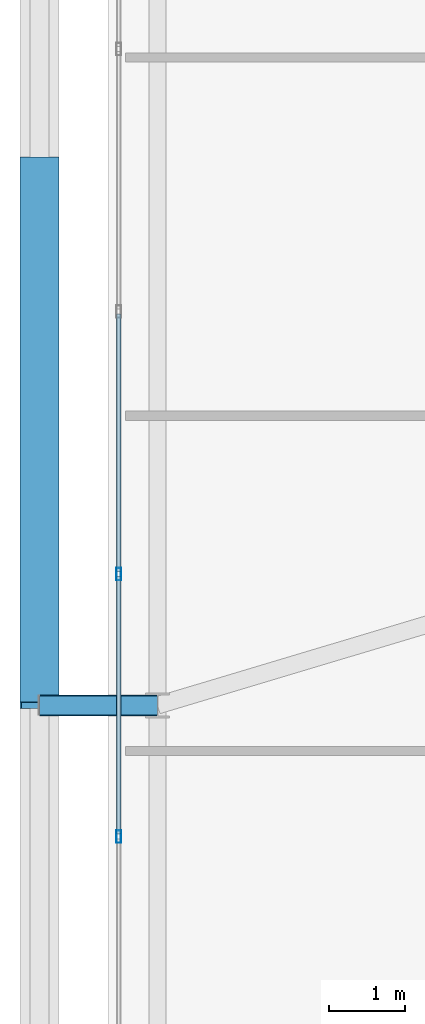
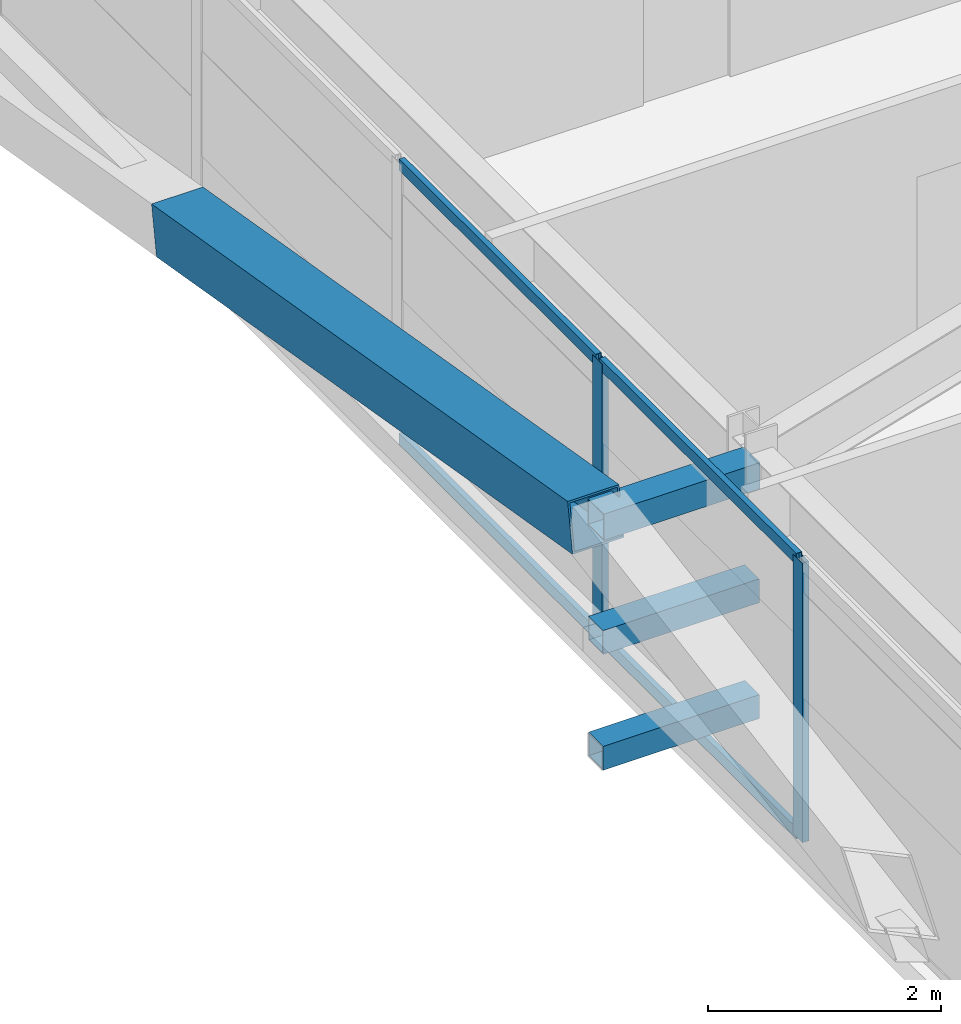
# One storey, part 14 of 59: 10 members, 1 element without a shape of its own.
"""IFC4 building model written with IfcOpenShell, lengths in metres."""

from ifc_helpers import new_model, si_unit, direction, frame, origin, origin_2d, place, context, subcontext, project, spatial, hollow_rectangle, extrude, source, transform, mapped, material, layer, layer_set, material_profile, profile_set, type_object, element, aggregate, save


model = new_model("IFC4")

# Units and contexts
model_context = context("Model", 3, precision=1e-05, world=origin(), true_north=direction((0.0, 1.0)))
body_context = subcontext(model_context, "Body", "Model", "MODEL_VIEW")
ifc_project = project(units=[si_unit("LENGTHUNIT", "METRE"), si_unit("AREAUNIT", "SQUARE_METRE"), si_unit("VOLUMEUNIT", "CUBIC_METRE"), si_unit("PLANEANGLEUNIT", "RADIAN"), si_unit("MASSUNIT", "GRAM", prefix="KILO")], contexts=[model_context])

# Site, building, storey
site_placement = place(None, origin())
site = spatial("IfcSite", under=ifc_project, at=site_placement, CompositionType="ELEMENT")
building_placement = place(site_placement, origin())
building = spatial("IfcBuilding", under=site, at=building_placement, Name="Taldren Reach Tower", CompositionType="ELEMENT")
storey_placement = place(building_placement, frame((0.0, 0.0, 23.10009765625)))
storey = spatial("IfcBuildingStorey", under=building, at=storey_placement, Name="L06", CompositionType="ELEMENT", Elevation=23.10009765625)

# Members
ifc_material_1 = material(Name="Steel Gr 450 (C450L0)", Category="steel")
ifc_material_profile_1 = material_profile(ifc_material_1, hollow_rectangle(XDim=0.27490234375, YDim=0.27490234375, WallThickness=0.00927734375, at=origin_2d()), Name="275x275x9.3SHS")
ifc_profile_set_1 = profile_set([ifc_material_profile_1], Name="Steel Gr 450 (C450L0)")
member_type_1 = type_object("IfcMemberType", Name="MB-TIE273", PredefinedType="STRUT", material=ifc_profile_set_1)
shared_shape_1 = source(origin(), body_context, "Body", "SweptSolid", [
    extrude(hollow_rectangle(XDim=0.27490234375, YDim=0.27490234375, WallThickness=0.00927734375, at=origin_2d()), origin(), (0.0, 0.0, 1.0), 1.5498046875),
])
member_1_placement = place(storey_placement, frame((5.64990234375, 20.0, 2.64990234375), z_axis=(-1.0, 0.0, 0.0), x_axis=(0.0, -1.0, 0.0)))
element("IfcMember", 1, at=member_1_placement, inside=storey, type_object=member_type_1, Name="Exoskeleton diaphragm tie strut B1-W2 L06", PredefinedType="STRUT", context=body_context, shape_type="MappedRepresentation", body=[
    mapped(shared_shape_1, transform((0.0, 0.0, 0.0), scale=1.0)),
])
ifc_material_2 = material(Name="Steel Gr 350 (C350L0)", Category="steel")
ifc_material_profile_2 = material_profile(ifc_material_2, hollow_rectangle(XDim=0.25, YDim=0.25, WallThickness=0.010009765625, at=origin_2d()), Name="250x250x10.0SHS")
ifc_profile_set_2 = profile_set([ifc_material_profile_2], Name="Steel Gr 350 (C350L0)")
member_type_2 = type_object("IfcMemberType", Name="MB-POST250", PredefinedType="POST", material=ifc_profile_set_2)
shared_shape_2 = source(origin(), body_context, "Body", "SweptSolid", [
    extrude(hollow_rectangle(XDim=0.25, YDim=0.25, WallThickness=0.010009765625, at=origin_2d()), origin(), (0.0, 0.0, 1.0), 1.5498046875),
])
for number, where, z_axis, x_axis, name in (
    (2, (5.64990234375, 20.0, 0.219970703125), (-1.0, 0.0, 0.0), (0.0, -1.0, 0.0), "Exoskeleton base diaphragm tie strut B1-W2 L06"),
    (3, (5.64990234375, 20.0, 1.434814453125), (-1.0, 0.0, 0.0), (0.0, -1.0, 0.0), "Exoskeleton mid-tier diaphragm tie B1-W2 L06"),
):
    element("IfcMember", number, at=place(storey_placement, frame(where, z_axis=z_axis, x_axis=x_axis)), inside=storey, type_object=member_type_2, Name=name, PredefinedType="POST", context=body_context, shape_type="MappedRepresentation", body=[
        mapped(shared_shape_2, transform((0.0, 0.0, 0.0), scale=1.0)),
    ])
ifc_material_profile_3 = material_profile(ifc_material_1, hollow_rectangle(XDim=0.510009765625, YDim=0.510009765625, WallThickness=0.02001953125, at=origin_2d()), Name="510x510x20.0SHS")
ifc_profile_set_3 = profile_set([ifc_material_profile_3], Name="Steel Gr 450 (C450L0)")
member_type_3 = type_object("IfcMemberType", Name="MB-EXO508", PredefinedType="BRACE", material=ifc_profile_set_3)
shared_shape_3 = source(origin(), body_context, "Body", "SweptSolid", [
    extrude(hollow_rectangle(XDim=0.510009765625, YDim=0.510009765625, WallThickness=0.02001953125, at=origin_2d()), origin(), (0.0, 0.0, 1.0), 7.25244140625),
])
member_2_placement = place(storey_placement, frame((4.10009765625, 27.14990234375, 1.434814453125), z_axis=(0.0, -0.985864855729, 0.167542490848), x_axis=(1.0, 0.0, 0.0)))
element("IfcMember", 4, at=member_2_placement, inside=storey, type_object=member_type_3, Name="Exoskeleton Diagrid Brace B1-W2 L06", PredefinedType="BRACE", context=body_context, shape_type="MappedRepresentation", body=[
    mapped(shared_shape_3, transform((0.0, 0.0, 0.0), scale=1.0)),
])

# Curtain wall, members
ifc_material_3 = material(Name="Aluminium and Low-E Glass Unitised System", Category="aluminium")
ifc_layer = layer(ifc_material_3, 0.159912109375)
ifc_layer_set = layer_set([ifc_layer], Name="Aluminium and Low-E Glass Unitised System")
curtain_wall_type = type_object("IfcCurtainWallType", Name="CW-SYS-2", PredefinedType="NOTDEFINED", material=ifc_layer_set)
curtain_wall_placement = place(storey_placement, origin())
curtain_wall = element("IfcCurtainWall", 5, at=curtain_wall_placement, inside=storey, type_object=curtain_wall_type, Name="Unitised curtain wall CW-L06-W", PredefinedType="NOTDEFINED")
ifc_material_4 = material(Name="Anodised Aluminium 6063-T6", Category="aluminium")
ifc_material_profile_4 = material_profile(ifc_material_4, hollow_rectangle(XDim=0.06494140625, YDim=0.1650390625, WallThickness=0.00390625, at=origin_2d()), Name="ALU-165x65x4RHS")
ifc_profile_set_4 = profile_set([ifc_material_profile_4], Name="Anodised Aluminium 6063-T6")
member_type_4 = type_object("IfcMemberType", Name="CW-MUL-165", PredefinedType="MULLION", material=ifc_profile_set_4)
shared_shape_4 = source(origin(), body_context, "Body", "SweptSolid", [
    extrude(hollow_rectangle(XDim=0.06494140625, YDim=0.1650390625, WallThickness=0.00390625, at=origin_2d()), origin(), (0.0, 0.0, 1.0), 2.929931640625),
])
member_3_placement = place(storey_placement, frame((5.139892578125, 21.72216796875, 0.0), z_axis=(0.0, 0.0, 1.0), x_axis=(1.0, 0.0, 0.0)))
member_3 = element("IfcMember", 6, at=member_3_placement, type_object=member_type_4, Name="CW-2 mullion 5", PredefinedType="MULLION", context=body_context, shape_type="MappedRepresentation", body=[
    mapped(shared_shape_4, transform((0.0, 0.0, 0.0), scale=1.0)),
])
member_4_placement = place(storey_placement, frame((5.139892578125, 18.27783203125, 0.0), z_axis=(0.0, 0.0, 1.0), x_axis=(1.0, 0.0, 0.0)))
member_4 = element("IfcMember", 7, at=member_4_placement, type_object=member_type_4, Name="CW-2 mullion 6", PredefinedType="MULLION", context=body_context, shape_type="MappedRepresentation", body=[
    mapped(shared_shape_4, transform((0.0, 0.0, 0.0), scale=1.0)),
])
ifc_material_profile_5 = material_profile(ifc_material_4, hollow_rectangle(XDim=0.054931640625, YDim=0.1201171875, WallThickness=0.0029296875, at=origin_2d()), Name="ALU-120x55x3RHS")
ifc_profile_set_5 = profile_set([ifc_material_profile_5], Name="Anodised Aluminium 6063-T6")
member_type_5 = type_object("IfcMemberType", Name="CW-TRN-135", PredefinedType="USERDEFINED", material=ifc_profile_set_5)
shared_shape_5 = source(origin(), body_context, "Body", "SweptSolid", [
    extrude(hollow_rectangle(XDim=0.054931640625, YDim=0.1201171875, WallThickness=0.0029296875, at=origin_2d()), origin(), (0.0, 0.0, 1.0), 3.37939453125),
])
member_5_placement = place(storey_placement, frame((5.139892578125, 21.689697265625, 0.02734375), z_axis=(0.0, -1.0, 0.0), x_axis=(1.0, 0.0, 0.0)))
member_5 = element("IfcMember", 8, at=member_5_placement, type_object=member_type_5, Name="CW-2 transom 5.1", ObjectType="TRANSOM", PredefinedType="USERDEFINED", context=body_context, shape_type="MappedRepresentation", body=[
    mapped(shared_shape_5, transform((0.0, 0.0, 0.0), scale=1.0)),
])
member_6_placement = place(storey_placement, frame((5.139892578125, 21.689697265625, 2.90234375), z_axis=(0.0, -1.0, 0.0), x_axis=(1.0, 0.0, 0.0)))
member_6 = element("IfcMember", 9, at=member_6_placement, type_object=member_type_5, Name="CW-2 transom 5.2", ObjectType="TRANSOM", PredefinedType="USERDEFINED", context=body_context, shape_type="MappedRepresentation", body=[
    mapped(shared_shape_5, transform((0.0, 0.0, 0.0), scale=1.0)),
])
shared_shape_6 = source(origin(), body_context, "Body", "SweptSolid", [
    extrude(hollow_rectangle(XDim=0.054931640625, YDim=0.1201171875, WallThickness=0.0029296875, at=origin_2d()), origin(), (0.0, 0.0, 1.0), 3.379638671875),
])
member_7_placement = place(storey_placement, frame((5.139892578125, 25.13427734375, 0.02734375), z_axis=(0.0, -1.0, 0.0), x_axis=(1.0, 0.0, 0.0)))
member_7 = element("IfcMember", 10, at=member_7_placement, type_object=member_type_5, Name="CW-2 transom 4.1", ObjectType="TRANSOM", PredefinedType="USERDEFINED", context=body_context, shape_type="MappedRepresentation", body=[
    mapped(shared_shape_6, transform((0.0, 0.0, 0.0), scale=1.0)),
])
member_8_placement = place(storey_placement, frame((5.139892578125, 25.13427734375, 2.90234375), z_axis=(0.0, -1.0, 0.0), x_axis=(1.0, 0.0, 0.0)))
member_8 = element("IfcMember", 11, at=member_8_placement, type_object=member_type_5, Name="CW-2 transom 4.2", ObjectType="TRANSOM", PredefinedType="USERDEFINED", context=body_context, shape_type="MappedRepresentation", body=[
    mapped(shared_shape_6, transform((0.0, 0.0, 0.0), scale=1.0)),
])
aggregate(curtain_wall, [member_3, member_4, member_7, member_8, member_5, member_6])

save(model, "model.ifc")
